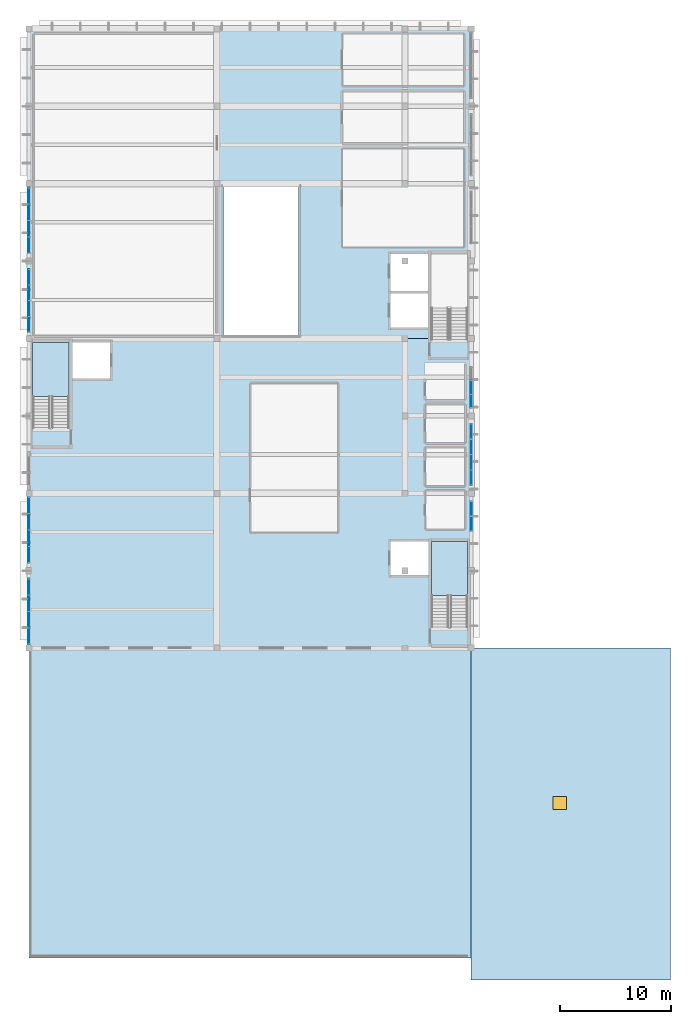
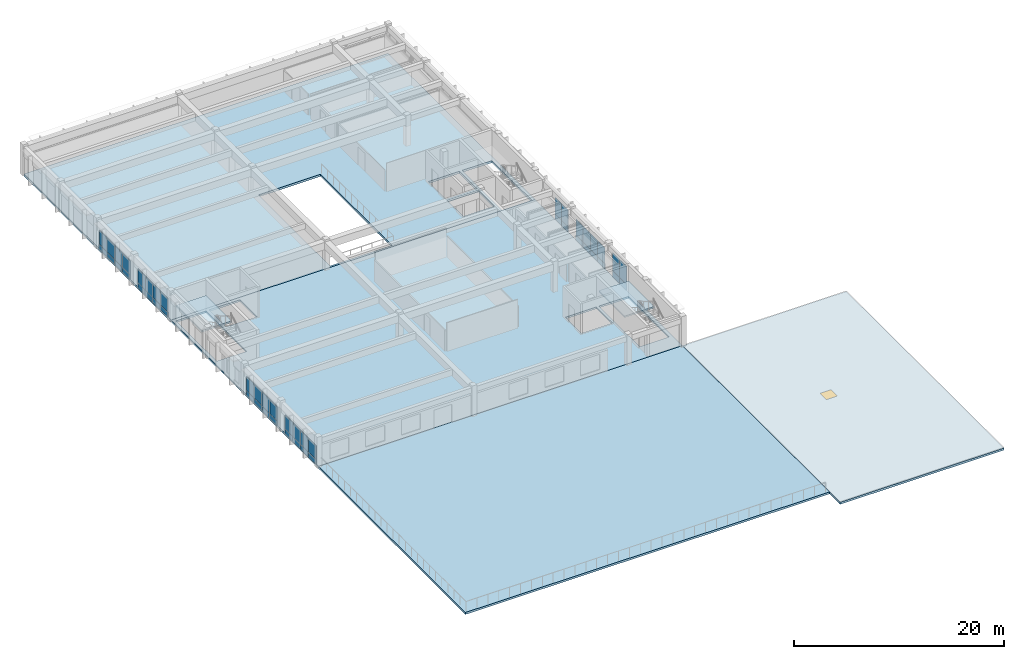
# One storey, part 14 of 23: 48 plates, 6 slabs, 1 window, 1 opening, 9 elements without a shape of their own.
"""IFC4 building model written with IfcOpenShell, lengths in metres."""

from ifc_helpers import new_model, si_unit, direction, frame, origin, origin_2d, place, context, subcontext, project, spatial, polyline, rectangle, outline, extrude, material, layer, layer_set, type_object, element, fill, aggregate, save


model = new_model("IFC4")

# Units and contexts
model_context = context("Model", 3, precision=1e-05, world=origin(), true_north=direction((0.0, 1.0)))
body_context = subcontext(model_context, "Body", "Model", "MODEL_VIEW")
ifc_project = project(units=[si_unit("LENGTHUNIT", "METRE"), si_unit("AREAUNIT", "SQUARE_METRE"), si_unit("VOLUMEUNIT", "CUBIC_METRE"), si_unit("PLANEANGLEUNIT", "RADIAN"), si_unit("MASSUNIT", "GRAM", prefix="KILO")], contexts=[model_context])

# Site, building, storey
site_placement = place(None, origin())
site = spatial("IfcSite", under=ifc_project, at=site_placement, CompositionType="ELEMENT")
building_placement = place(site_placement, origin())
building = spatial("IfcBuilding", under=site, at=building_placement, Name="Larkveld Mobility Hub", CompositionType="ELEMENT")
storey_placement = place(building_placement, frame((0.0, 0.0, 19.199951171875)))
storey = spatial("IfcBuildingStorey", under=building, at=storey_placement, Name="L05", CompositionType="ELEMENT", Elevation=19.199951171875)

# Curtain wall, plates
ifc_material_1 = material(Name="Anodised aluminium 6063-T6", Category="aluminium")
curtain_wall_type_1 = type_object("IfcCurtainWallType", Name="CW-SYS-07", PredefinedType="NOTDEFINED", material=ifc_material_1)
curtain_wall_1_placement = place(storey_placement, origin())
curtain_wall_1 = element("IfcCurtainWall", 1, at=curtain_wall_1_placement, inside=storey, type_object=curtain_wall_type_1, Name="EV Wing West Glazing L05 CW-163", PredefinedType="NOTDEFINED")
ifc_material_2 = material(Name="Low-E laminated solar-control double glazing", Category="glass")
ifc_layer_1 = layer(ifc_material_2, 0.028076171875, Name="Low-E laminated solar-control double glazing", Category="glass")
ifc_layer_set_1 = layer_set([ifc_layer_1], Name="Low-E laminated solar-control double glazing")
plate_type_1 = type_object("IfcPlateType", Name="CW-PNL-GL01", PredefinedType="CURTAIN_PANEL", material=ifc_layer_set_1)
plate_1_placement = place(storey_placement, frame((112.0, 68.89794921875, 0.552001953125), z_axis=(0.0, 0.0, 1.0), x_axis=(0.0, -1.0, 0.0)))
plate_1 = element("IfcPlate", 2, at=plate_1_placement, type_object=plate_type_1, Name="CW07 panel 1", PredefinedType="CURTAIN_PANEL", context=body_context, shape_type="SweptSolid", body=[
    extrude(rectangle(XDim=1.4541015625, YDim=0.028076171875, at=origin_2d()), origin(), (0.0, 0.0, 1.0), 1.6259765625),
])
plate_2_placement = place(storey_placement, frame((112.0, 67.424072265625, 0.552001953125), z_axis=(0.0, 0.0, 1.0), x_axis=(0.0, -1.0, 0.0)))
plate_2 = element("IfcPlate", 3, at=plate_2_placement, type_object=plate_type_1, Name="CW07 panel 2", PredefinedType="CURTAIN_PANEL", context=body_context, shape_type="SweptSolid", body=[
    extrude(rectangle(XDim=1.47412109375, YDim=0.028076171875, at=origin_2d()), origin(), (0.0, 0.0, 1.0), 1.6259765625),
])
plate_3_placement = place(storey_placement, frame((112.0, 65.94091796875, 0.552001953125), z_axis=(0.0, 0.0, 1.0), x_axis=(0.0, -1.0, 0.0)))
plate_3 = element("IfcPlate", 4, at=plate_3_placement, type_object=plate_type_1, Name="CW07 panel 3", PredefinedType="CURTAIN_PANEL", context=body_context, shape_type="SweptSolid", body=[
    extrude(rectangle(XDim=1.47412109375, YDim=0.028076171875, at=origin_2d()), origin(), (0.0, 0.0, 1.0), 1.6259765625),
])
plate_4_placement = place(storey_placement, frame((112.0, 64.467041015625, 0.552001953125), z_axis=(0.0, 0.0, 1.0), x_axis=(0.0, -1.0, 0.0)))
plate_4 = element("IfcPlate", 5, at=plate_4_placement, type_object=plate_type_1, Name="CW07 panel 4", PredefinedType="CURTAIN_PANEL", context=body_context, shape_type="SweptSolid", body=[
    extrude(rectangle(XDim=1.4541015625, YDim=0.028076171875, at=origin_2d()), origin(), (0.0, 0.0, 1.0), 1.6259765625),
])

curtain_wall_type_2 = type_object("IfcCurtainWallType", Name="CW-SYS-10", PredefinedType="NOTDEFINED", material=ifc_material_1)
curtain_wall_2_placement = place(storey_placement, origin())
curtain_wall_2 = element("IfcCurtainWall", 6, at=curtain_wall_2_placement, inside=storey, type_object=curtain_wall_type_2, Name="Upper Mobility and Sports East Glazing L05 CW-166", PredefinedType="NOTDEFINED")
plate_5_placement = place(storey_placement, frame((152.0, 43.422119140625, 0.614013671875), z_axis=(0.0, 0.0, 1.0), x_axis=(0.0, 1.0, 0.0)))
plate_5 = element("IfcPlate", 7, at=plate_5_placement, type_object=plate_type_1, Name="CW10 panel 1", PredefinedType="CURTAIN_PANEL", context=body_context, shape_type="SweptSolid", body=[
    extrude(rectangle(XDim=1.362060546875, YDim=0.028076171875, at=origin_2d()), origin(), (0.0, 0.0, 1.0), 1.81396484375),
])
plate_6_placement = place(storey_placement, frame((152.0, 44.803955078125, 0.614013671875), z_axis=(0.0, 0.0, 1.0), x_axis=(0.0, 1.0, 0.0)))
plate_6 = element("IfcPlate", 8, at=plate_6_placement, type_object=plate_type_1, Name="CW10 panel 2", PredefinedType="CURTAIN_PANEL", context=body_context, shape_type="SweptSolid", body=[
    extrude(rectangle(XDim=1.382080078125, YDim=0.028076171875, at=origin_2d()), origin(), (0.0, 0.0, 1.0), 1.81396484375),
])
plate_7_placement = place(storey_placement, frame((152.0, 46.196044921875, 0.614013671875), z_axis=(0.0, 0.0, 1.0), x_axis=(0.0, 1.0, 0.0)))
plate_7 = element("IfcPlate", 9, at=plate_7_placement, type_object=plate_type_1, Name="CW10 panel 3", PredefinedType="CURTAIN_PANEL", context=body_context, shape_type="SweptSolid", body=[
    extrude(rectangle(XDim=1.382080078125, YDim=0.028076171875, at=origin_2d()), origin(), (0.0, 0.0, 1.0), 1.81396484375),
])
plate_8_placement = place(storey_placement, frame((152.0, 47.577880859375, 0.614013671875), z_axis=(0.0, 0.0, 1.0), x_axis=(0.0, 1.0, 0.0)))
plate_8 = element("IfcPlate", 10, at=plate_8_placement, type_object=plate_type_1, Name="CW10 panel 4", PredefinedType="CURTAIN_PANEL", context=body_context, shape_type="SweptSolid", body=[
    extrude(rectangle(XDim=1.362060546875, YDim=0.028076171875, at=origin_2d()), origin(), (0.0, 0.0, 1.0), 1.81396484375),
])

curtain_wall_type_3 = type_object("IfcCurtainWallType", Name="CW-SYS-05", PredefinedType="NOTDEFINED", material=ifc_material_1)
curtain_wall_3_placement = place(storey_placement, origin())
curtain_wall_3 = element("IfcCurtainWall", 11, at=curtain_wall_3_placement, inside=storey, type_object=curtain_wall_type_3, Name="EV Wing West Glazing L05 CW-161", PredefinedType="NOTDEFINED")
ifc_material_3 = material(Name="Acoustic solar-control laminated double glazing", Category="glass")
ifc_layer_2 = layer(ifc_material_3, 0.031982421875, Name="Acoustic solar-control laminated double glazing", Category="glass")
ifc_layer_set_2 = layer_set([ifc_layer_2], Name="Acoustic solar-control laminated double glazing")
plate_type_2 = type_object("IfcPlateType", Name="CW-PNL-GL02", PredefinedType="CURTAIN_PANEL", material=ifc_layer_set_2)
plate_9_placement = place(storey_placement, frame((112.0, 40.89794921875, 0.552001953125), z_axis=(0.0, 0.0, 1.0), x_axis=(0.0, -1.0, 0.0)))
plate_9 = element("IfcPlate", 12, at=plate_9_placement, type_object=plate_type_2, Name="CW05 panel 1", PredefinedType="CURTAIN_PANEL", context=body_context, shape_type="SweptSolid", body=[
    extrude(rectangle(XDim=1.4541015625, YDim=0.031982421875, at=origin_2d()), origin(), (0.0, 0.0, 1.0), 1.6259765625),
])
plate_10_placement = place(storey_placement, frame((112.0, 39.424072265625, 0.552001953125), z_axis=(0.0, 0.0, 1.0), x_axis=(0.0, -1.0, 0.0)))
plate_10 = element("IfcPlate", 13, at=plate_10_placement, type_object=plate_type_2, Name="CW05 panel 2", PredefinedType="CURTAIN_PANEL", context=body_context, shape_type="SweptSolid", body=[
    extrude(rectangle(XDim=1.47412109375, YDim=0.031982421875, at=origin_2d()), origin(), (0.0, 0.0, 1.0), 1.6259765625),
])
plate_11_placement = place(storey_placement, frame((112.0, 37.94091796875, 0.552001953125), z_axis=(0.0, 0.0, 1.0), x_axis=(0.0, -1.0, 0.0)))
plate_11 = element("IfcPlate", 14, at=plate_11_placement, type_object=plate_type_2, Name="CW05 panel 3", PredefinedType="CURTAIN_PANEL", context=body_context, shape_type="SweptSolid", body=[
    extrude(rectangle(XDim=1.47412109375, YDim=0.031982421875, at=origin_2d()), origin(), (0.0, 0.0, 1.0), 1.6259765625),
])
plate_12_placement = place(storey_placement, frame((112.0, 36.467041015625, 0.552001953125), z_axis=(0.0, 0.0, 1.0), x_axis=(0.0, -1.0, 0.0)))
plate_12 = element("IfcPlate", 15, at=plate_12_placement, type_object=plate_type_2, Name="CW05 panel 4", PredefinedType="CURTAIN_PANEL", context=body_context, shape_type="SweptSolid", body=[
    extrude(rectangle(XDim=1.4541015625, YDim=0.031982421875, at=origin_2d()), origin(), (0.0, 0.0, 1.0), 1.6259765625),
])

curtain_wall_type_4 = type_object("IfcCurtainWallType", Name="CW-SYS-08", PredefinedType="NOTDEFINED", material=ifc_material_1)
curtain_wall_4_placement = place(storey_placement, origin())
curtain_wall_4 = element("IfcCurtainWall", 16, at=curtain_wall_4_placement, inside=storey, type_object=curtain_wall_type_4, Name="EV Wing West Glazing L05 CW-164", PredefinedType="NOTDEFINED")
plate_13_placement = place(storey_placement, frame((112.0, 61.56201171875, 0.552001953125), z_axis=(0.0, 0.0, 1.0), x_axis=(0.0, -1.0, 0.0)))
plate_13 = element("IfcPlate", 17, at=plate_13_placement, type_object=plate_type_2, Name="CW08 panel 1", PredefinedType="CURTAIN_PANEL", context=body_context, shape_type="SweptSolid", body=[
    extrude(rectangle(XDim=1.39599609375, YDim=0.031982421875, at=origin_2d()), origin(), (0.0, 0.0, 1.0), 1.6259765625),
])
plate_14_placement = place(storey_placement, frame((112.0, 60.14501953125, 0.552001953125), z_axis=(0.0, 0.0, 1.0), x_axis=(0.0, -1.0, 0.0)))
plate_14 = element("IfcPlate", 18, at=plate_14_placement, type_object=plate_type_2, Name="CW08 panel 2", PredefinedType="CURTAIN_PANEL", context=body_context, shape_type="SweptSolid", body=[
    extrude(rectangle(XDim=1.416015625, YDim=0.031982421875, at=origin_2d()), origin(), (0.0, 0.0, 1.0), 1.6259765625),
])
plate_15_placement = place(storey_placement, frame((112.0, 58.718994140625, 0.552001953125), z_axis=(0.0, 0.0, 1.0), x_axis=(0.0, -1.0, 0.0)))
plate_15 = element("IfcPlate", 19, at=plate_15_placement, type_object=plate_type_2, Name="CW08 panel 3", PredefinedType="CURTAIN_PANEL", context=body_context, shape_type="SweptSolid", body=[
    extrude(rectangle(XDim=1.416015625, YDim=0.031982421875, at=origin_2d()), origin(), (0.0, 0.0, 1.0), 1.6259765625),
])
plate_16_placement = place(storey_placement, frame((112.0, 57.302978515625, 0.552001953125), z_axis=(0.0, 0.0, 1.0), x_axis=(0.0, -1.0, 0.0)))
plate_16 = element("IfcPlate", 20, at=plate_16_placement, type_object=plate_type_2, Name="CW08 panel 4", PredefinedType="CURTAIN_PANEL", context=body_context, shape_type="SweptSolid", body=[
    extrude(rectangle(XDim=1.39599609375, YDim=0.031982421875, at=origin_2d()), origin(), (0.0, 0.0, 1.0), 1.6259765625),
])

curtain_wall_type_5 = type_object("IfcCurtainWallType", Name="CW-SYS-11", PredefinedType="NOTDEFINED", material=ifc_material_1)
curtain_wall_5_placement = place(storey_placement, origin())
curtain_wall_5 = element("IfcCurtainWall", 21, at=curtain_wall_5_placement, inside=storey, type_object=curtain_wall_type_5, Name="Upper Mobility and Sports East Glazing L05 CW-167", PredefinedType="NOTDEFINED")
plate_17_placement = place(storey_placement, frame((152.0, 50.343017578125, 0.65185546875), z_axis=(0.0, 0.0, 1.0), x_axis=(0.0, 1.0, 0.0)))
plate_17 = element("IfcPlate", 22, at=plate_17_placement, type_object=plate_type_2, Name="CW11 panel 1", PredefinedType="CURTAIN_PANEL", context=body_context, shape_type="SweptSolid", body=[
    extrude(rectangle(XDim=1.205078125, YDim=0.031982421875, at=origin_2d()), origin(), (0.0, 0.0, 1.0), 1.926025390625),
])
plate_18_placement = place(storey_placement, frame((152.0, 51.568115234375, 0.65185546875), z_axis=(0.0, 0.0, 1.0), x_axis=(0.0, 1.0, 0.0)))
plate_18 = element("IfcPlate", 23, at=plate_18_placement, type_object=plate_type_2, Name="CW11 panel 2", PredefinedType="CURTAIN_PANEL", context=body_context, shape_type="SweptSolid", body=[
    extrude(rectangle(XDim=1.22509765625, YDim=0.031982421875, at=origin_2d()), origin(), (0.0, 0.0, 1.0), 1.926025390625),
])

curtain_wall_type_6 = type_object("IfcCurtainWallType", Name="CW-SYS-06", PredefinedType="NOTDEFINED", material=ifc_material_1)
curtain_wall_6_placement = place(storey_placement, origin())
curtain_wall_6 = element("IfcCurtainWall", 24, at=curtain_wall_6_placement, inside=storey, type_object=curtain_wall_type_6, Name="EV Wing West Glazing L05 CW-162", PredefinedType="NOTDEFINED")
ifc_material_4 = material(Name="Tinted safety double glazing", Category="glass")
ifc_layer_3 = layer(ifc_material_4, 0.035888671875, Name="Tinted safety double glazing", Category="glass")
ifc_layer_set_3 = layer_set([ifc_layer_3], Name="Tinted safety double glazing")
plate_type_3 = type_object("IfcPlateType", Name="CW-PNL-GL03", PredefinedType="CURTAIN_PANEL", material=ifc_layer_set_3)
plate_19_placement = place(storey_placement, frame((112.0, 33.532958984375, 0.552001953125), z_axis=(0.0, 0.0, 1.0), x_axis=(0.0, -1.0, 0.0)))
plate_19 = element("IfcPlate", 25, at=plate_19_placement, type_object=plate_type_3, Name="CW06 panel 1", PredefinedType="CURTAIN_PANEL", context=body_context, shape_type="SweptSolid", body=[
    extrude(rectangle(XDim=1.4541015625, YDim=0.035888671875, at=origin_2d()), origin(), (0.0, 0.0, 1.0), 1.6259765625),
])
plate_20_placement = place(storey_placement, frame((112.0, 32.05908203125, 0.552001953125), z_axis=(0.0, 0.0, 1.0), x_axis=(0.0, -1.0, 0.0)))
plate_20 = element("IfcPlate", 26, at=plate_20_placement, type_object=plate_type_3, Name="CW06 panel 2", PredefinedType="CURTAIN_PANEL", context=body_context, shape_type="SweptSolid", body=[
    extrude(rectangle(XDim=1.47412109375, YDim=0.035888671875, at=origin_2d()), origin(), (0.0, 0.0, 1.0), 1.6259765625),
])
plate_21_placement = place(storey_placement, frame((112.0, 30.574951171875, 0.552001953125), z_axis=(0.0, 0.0, 1.0), x_axis=(0.0, -1.0, 0.0)))
plate_21 = element("IfcPlate", 27, at=plate_21_placement, type_object=plate_type_3, Name="CW06 panel 3", PredefinedType="CURTAIN_PANEL", context=body_context, shape_type="SweptSolid", body=[
    extrude(rectangle(XDim=1.47412109375, YDim=0.035888671875, at=origin_2d()), origin(), (0.0, 0.0, 1.0), 1.6259765625),
])
plate_22_placement = place(storey_placement, frame((112.0, 29.10205078125, 0.552001953125), z_axis=(0.0, 0.0, 1.0), x_axis=(0.0, -1.0, 0.0)))
plate_22 = element("IfcPlate", 28, at=plate_22_placement, type_object=plate_type_3, Name="CW06 panel 4", PredefinedType="CURTAIN_PANEL", context=body_context, shape_type="SweptSolid", body=[
    extrude(rectangle(XDim=1.4541015625, YDim=0.035888671875, at=origin_2d()), origin(), (0.0, 0.0, 1.0), 1.6259765625),
])

curtain_wall_type_7 = type_object("IfcCurtainWallType", Name="CW-SYS-09", PredefinedType="NOTDEFINED", material=ifc_material_1)
curtain_wall_7_placement = place(storey_placement, origin())
curtain_wall_7 = element("IfcCurtainWall", 29, at=curtain_wall_7_placement, inside=storey, type_object=curtain_wall_type_7, Name="Upper Mobility and Sports East Glazing L05 CW-165", PredefinedType="NOTDEFINED")
plate_23_placement = place(storey_placement, frame((152.0, 39.26611328125, 0.7021484375), z_axis=(0.0, 0.0, 1.0), x_axis=(0.0, 1.0, 0.0)))
plate_23 = element("IfcPlate", 30, at=plate_23_placement, type_object=plate_type_3, Name="CW09 panel 1", PredefinedType="CURTAIN_PANEL", context=body_context, shape_type="SweptSolid", body=[
    extrude(rectangle(XDim=1.322998046875, YDim=0.035888671875, at=origin_2d()), origin(), (0.0, 0.0, 1.0), 2.075927734375),
])
plate_24_placement = place(storey_placement, frame((152.0, 40.59912109375, 0.7021484375), z_axis=(0.0, 0.0, 1.0), x_axis=(0.0, 1.0, 0.0)))
plate_24 = element("IfcPlate", 31, at=plate_24_placement, type_object=plate_type_3, Name="CW09 panel 2", PredefinedType="CURTAIN_PANEL", context=body_context, shape_type="SweptSolid", body=[
    extrude(rectangle(XDim=1.322998046875, YDim=0.035888671875, at=origin_2d()), origin(), (0.0, 0.0, 1.0), 2.075927734375),
])

# Plate
ifc_material_5 = material(Name="Insulated fluoropolymer aluminium spandrel", Category="aluminium")
ifc_layer_4 = layer(ifc_material_5, 0.06494140625, Name="Insulated fluoropolymer aluminium spandrel", Category="aluminium")
ifc_layer_set_4 = layer_set([ifc_layer_4], Name="Insulated fluoropolymer aluminium spandrel")
plate_type_4 = type_object("IfcPlateType", Name="CW-PNL-SP01", PredefinedType="CURTAIN_PANEL", material=ifc_layer_set_4)
plate_25_placement = place(storey_placement, frame((112.0, 40.89794921875, 0.0), z_axis=(0.0, 0.0, 1.0), x_axis=(0.0, -1.0, 0.0)))
plate_25 = element("IfcPlate", 32, at=plate_25_placement, type_object=plate_type_4, Name="CW05 spandrel 1", PredefinedType="CURTAIN_PANEL", context=body_context, shape_type="SweptSolid", body=[
    extrude(rectangle(XDim=1.4541015625, YDim=0.06494140625, at=origin_2d()), origin(), (0.0, 0.0, 1.0), 0.5400390625),
])

plate_26_placement = place(storey_placement, frame((112.0, 39.424072265625, 0.0), z_axis=(0.0, 0.0, 1.0), x_axis=(0.0, -1.0, 0.0)))
plate_26 = element("IfcPlate", 33, at=plate_26_placement, type_object=plate_type_4, Name="CW05 spandrel 2", PredefinedType="CURTAIN_PANEL", context=body_context, shape_type="SweptSolid", body=[
    extrude(rectangle(XDim=1.47412109375, YDim=0.06494140625, at=origin_2d()), origin(), (0.0, 0.0, 1.0), 0.5400390625),
])

plate_27_placement = place(storey_placement, frame((112.0, 37.94091796875, 0.0), z_axis=(0.0, 0.0, 1.0), x_axis=(0.0, -1.0, 0.0)))
plate_27 = element("IfcPlate", 34, at=plate_27_placement, type_object=plate_type_4, Name="CW05 spandrel 3", PredefinedType="CURTAIN_PANEL", context=body_context, shape_type="SweptSolid", body=[
    extrude(rectangle(XDim=1.47412109375, YDim=0.06494140625, at=origin_2d()), origin(), (0.0, 0.0, 1.0), 0.5400390625),
])

plate_28_placement = place(storey_placement, frame((112.0, 36.467041015625, 0.0), z_axis=(0.0, 0.0, 1.0), x_axis=(0.0, -1.0, 0.0)))
plate_28 = element("IfcPlate", 35, at=plate_28_placement, type_object=plate_type_4, Name="CW05 spandrel 4", PredefinedType="CURTAIN_PANEL", context=body_context, shape_type="SweptSolid", body=[
    extrude(rectangle(XDim=1.4541015625, YDim=0.06494140625, at=origin_2d()), origin(), (0.0, 0.0, 1.0), 0.5400390625),
])

aggregate(curtain_wall_3, [plate_25, plate_9, plate_26, plate_10, plate_27, plate_11, plate_28, plate_12])

plate_29_placement = place(storey_placement, frame((112.0, 68.89794921875, 0.0), z_axis=(0.0, 0.0, 1.0), x_axis=(0.0, -1.0, 0.0)))
plate_29 = element("IfcPlate", 36, at=plate_29_placement, type_object=plate_type_4, Name="CW07 spandrel 1", PredefinedType="CURTAIN_PANEL", context=body_context, shape_type="SweptSolid", body=[
    extrude(rectangle(XDim=1.4541015625, YDim=0.06494140625, at=origin_2d()), origin(), (0.0, 0.0, 1.0), 0.5400390625),
])

plate_30_placement = place(storey_placement, frame((112.0, 67.424072265625, 0.0), z_axis=(0.0, 0.0, 1.0), x_axis=(0.0, -1.0, 0.0)))
plate_30 = element("IfcPlate", 37, at=plate_30_placement, type_object=plate_type_4, Name="CW07 spandrel 2", PredefinedType="CURTAIN_PANEL", context=body_context, shape_type="SweptSolid", body=[
    extrude(rectangle(XDim=1.47412109375, YDim=0.06494140625, at=origin_2d()), origin(), (0.0, 0.0, 1.0), 0.5400390625),
])

plate_31_placement = place(storey_placement, frame((112.0, 65.94091796875, 0.0), z_axis=(0.0, 0.0, 1.0), x_axis=(0.0, -1.0, 0.0)))
plate_31 = element("IfcPlate", 38, at=plate_31_placement, type_object=plate_type_4, Name="CW07 spandrel 3", PredefinedType="CURTAIN_PANEL", context=body_context, shape_type="SweptSolid", body=[
    extrude(rectangle(XDim=1.47412109375, YDim=0.06494140625, at=origin_2d()), origin(), (0.0, 0.0, 1.0), 0.5400390625),
])

plate_32_placement = place(storey_placement, frame((112.0, 64.467041015625, 0.0), z_axis=(0.0, 0.0, 1.0), x_axis=(0.0, -1.0, 0.0)))
plate_32 = element("IfcPlate", 39, at=plate_32_placement, type_object=plate_type_4, Name="CW07 spandrel 4", PredefinedType="CURTAIN_PANEL", context=body_context, shape_type="SweptSolid", body=[
    extrude(rectangle(XDim=1.4541015625, YDim=0.06494140625, at=origin_2d()), origin(), (0.0, 0.0, 1.0), 0.5400390625),
])

aggregate(curtain_wall_1, [plate_29, plate_1, plate_30, plate_2, plate_31, plate_3, plate_32, plate_4])

plate_33_placement = place(storey_placement, frame((152.0, 39.26611328125, 0.0), z_axis=(0.0, 0.0, 1.0), x_axis=(0.0, 1.0, 0.0)))
plate_33 = element("IfcPlate", 40, at=plate_33_placement, type_object=plate_type_4, Name="CW09 spandrel 1", PredefinedType="CURTAIN_PANEL", context=body_context, shape_type="SweptSolid", body=[
    extrude(rectangle(XDim=1.322998046875, YDim=0.06494140625, at=origin_2d()), origin(), (0.0, 0.0, 1.0), 0.68994140625),
])

plate_34_placement = place(storey_placement, frame((152.0, 40.59912109375, 0.0), z_axis=(0.0, 0.0, 1.0), x_axis=(0.0, 1.0, 0.0)))
plate_34 = element("IfcPlate", 41, at=plate_34_placement, type_object=plate_type_4, Name="CW09 spandrel 2", PredefinedType="CURTAIN_PANEL", context=body_context, shape_type="SweptSolid", body=[
    extrude(rectangle(XDim=1.322998046875, YDim=0.06494140625, at=origin_2d()), origin(), (0.0, 0.0, 1.0), 0.68994140625),
])

aggregate(curtain_wall_7, [plate_33, plate_23, plate_34, plate_24])

plate_35_placement = place(storey_placement, frame((152.0, 50.343017578125, 0.0), z_axis=(0.0, 0.0, 1.0), x_axis=(0.0, 1.0, 0.0)))
plate_35 = element("IfcPlate", 42, at=plate_35_placement, type_object=plate_type_4, Name="CW11 spandrel 1", PredefinedType="CURTAIN_PANEL", context=body_context, shape_type="SweptSolid", body=[
    extrude(rectangle(XDim=1.205078125, YDim=0.06494140625, at=origin_2d()), origin(), (0.0, 0.0, 1.0), 0.639892578125),
])

plate_36_placement = place(storey_placement, frame((152.0, 51.568115234375, 0.0), z_axis=(0.0, 0.0, 1.0), x_axis=(0.0, 1.0, 0.0)))
plate_36 = element("IfcPlate", 43, at=plate_36_placement, type_object=plate_type_4, Name="CW11 spandrel 2", PredefinedType="CURTAIN_PANEL", context=body_context, shape_type="SweptSolid", body=[
    extrude(rectangle(XDim=1.22509765625, YDim=0.06494140625, at=origin_2d()), origin(), (0.0, 0.0, 1.0), 0.639892578125),
])

aggregate(curtain_wall_5, [plate_35, plate_17, plate_36, plate_18])

ifc_material_6 = material(Name="Insulated terracotta-toned aluminium spandrel", Category="masonry")
ifc_layer_5 = layer(ifc_material_6, 0.080078125, Name="Insulated terracotta-toned aluminium spandrel", Category="masonry")
ifc_layer_set_5 = layer_set([ifc_layer_5], Name="Insulated terracotta-toned aluminium spandrel")
plate_type_5 = type_object("IfcPlateType", Name="CW-PNL-SP02", PredefinedType="CURTAIN_PANEL", material=ifc_layer_set_5)
plate_37_placement = place(storey_placement, frame((112.0, 33.532958984375, 0.0), z_axis=(0.0, 0.0, 1.0), x_axis=(0.0, -1.0, 0.0)))
plate_37 = element("IfcPlate", 44, at=plate_37_placement, type_object=plate_type_5, Name="CW06 spandrel 1", PredefinedType="CURTAIN_PANEL", context=body_context, shape_type="SweptSolid", body=[
    extrude(rectangle(XDim=1.4541015625, YDim=0.080078125, at=origin_2d()), origin(), (0.0, 0.0, 1.0), 0.5400390625),
])

plate_38_placement = place(storey_placement, frame((112.0, 32.05908203125, 0.0), z_axis=(0.0, 0.0, 1.0), x_axis=(0.0, -1.0, 0.0)))
plate_38 = element("IfcPlate", 45, at=plate_38_placement, type_object=plate_type_5, Name="CW06 spandrel 2", PredefinedType="CURTAIN_PANEL", context=body_context, shape_type="SweptSolid", body=[
    extrude(rectangle(XDim=1.47412109375, YDim=0.080078125, at=origin_2d()), origin(), (0.0, 0.0, 1.0), 0.5400390625),
])

plate_39_placement = place(storey_placement, frame((112.0, 30.574951171875, 0.0), z_axis=(0.0, 0.0, 1.0), x_axis=(0.0, -1.0, 0.0)))
plate_39 = element("IfcPlate", 46, at=plate_39_placement, type_object=plate_type_5, Name="CW06 spandrel 3", PredefinedType="CURTAIN_PANEL", context=body_context, shape_type="SweptSolid", body=[
    extrude(rectangle(XDim=1.47412109375, YDim=0.080078125, at=origin_2d()), origin(), (0.0, 0.0, 1.0), 0.5400390625),
])

plate_40_placement = place(storey_placement, frame((112.0, 29.10205078125, 0.0), z_axis=(0.0, 0.0, 1.0), x_axis=(0.0, -1.0, 0.0)))
plate_40 = element("IfcPlate", 47, at=plate_40_placement, type_object=plate_type_5, Name="CW06 spandrel 4", PredefinedType="CURTAIN_PANEL", context=body_context, shape_type="SweptSolid", body=[
    extrude(rectangle(XDim=1.4541015625, YDim=0.080078125, at=origin_2d()), origin(), (0.0, 0.0, 1.0), 0.5400390625),
])

aggregate(curtain_wall_6, [plate_37, plate_19, plate_38, plate_20, plate_39, plate_21, plate_40, plate_22])

plate_41_placement = place(storey_placement, frame((112.0, 61.56201171875, 0.0), z_axis=(0.0, 0.0, 1.0), x_axis=(0.0, -1.0, 0.0)))
plate_41 = element("IfcPlate", 48, at=plate_41_placement, type_object=plate_type_5, Name="CW08 spandrel 1", PredefinedType="CURTAIN_PANEL", context=body_context, shape_type="SweptSolid", body=[
    extrude(rectangle(XDim=1.39599609375, YDim=0.080078125, at=origin_2d()), origin(), (0.0, 0.0, 1.0), 0.5400390625),
])

plate_42_placement = place(storey_placement, frame((112.0, 60.14501953125, 0.0), z_axis=(0.0, 0.0, 1.0), x_axis=(0.0, -1.0, 0.0)))
plate_42 = element("IfcPlate", 49, at=plate_42_placement, type_object=plate_type_5, Name="CW08 spandrel 2", PredefinedType="CURTAIN_PANEL", context=body_context, shape_type="SweptSolid", body=[
    extrude(rectangle(XDim=1.416015625, YDim=0.080078125, at=origin_2d()), origin(), (0.0, 0.0, 1.0), 0.5400390625),
])

plate_43_placement = place(storey_placement, frame((112.0, 58.718994140625, 0.0), z_axis=(0.0, 0.0, 1.0), x_axis=(0.0, -1.0, 0.0)))
plate_43 = element("IfcPlate", 50, at=plate_43_placement, type_object=plate_type_5, Name="CW08 spandrel 3", PredefinedType="CURTAIN_PANEL", context=body_context, shape_type="SweptSolid", body=[
    extrude(rectangle(XDim=1.416015625, YDim=0.080078125, at=origin_2d()), origin(), (0.0, 0.0, 1.0), 0.5400390625),
])

plate_44_placement = place(storey_placement, frame((112.0, 57.302978515625, 0.0), z_axis=(0.0, 0.0, 1.0), x_axis=(0.0, -1.0, 0.0)))
plate_44 = element("IfcPlate", 51, at=plate_44_placement, type_object=plate_type_5, Name="CW08 spandrel 4", PredefinedType="CURTAIN_PANEL", context=body_context, shape_type="SweptSolid", body=[
    extrude(rectangle(XDim=1.39599609375, YDim=0.080078125, at=origin_2d()), origin(), (0.0, 0.0, 1.0), 0.5400390625),
])

aggregate(curtain_wall_4, [plate_41, plate_13, plate_42, plate_14, plate_43, plate_15, plate_44, plate_16])

plate_45_placement = place(storey_placement, frame((152.0, 43.422119140625, -0.00048828125), z_axis=(0.0, 0.0, 1.0), x_axis=(0.0, 1.0, 0.0)))
plate_45 = element("IfcPlate", 52, at=plate_45_placement, type_object=plate_type_5, Name="CW10 spandrel 1", PredefinedType="CURTAIN_PANEL", context=body_context, shape_type="SweptSolid", body=[
    extrude(rectangle(XDim=1.362060546875, YDim=0.080078125, at=origin_2d()), origin(), (0.0, 0.0, 1.0), 0.60302734375),
])

plate_46_placement = place(storey_placement, frame((152.0, 44.803955078125, -0.00048828125), z_axis=(0.0, 0.0, 1.0), x_axis=(0.0, 1.0, 0.0)))
plate_46 = element("IfcPlate", 53, at=plate_46_placement, type_object=plate_type_5, Name="CW10 spandrel 2", PredefinedType="CURTAIN_PANEL", context=body_context, shape_type="SweptSolid", body=[
    extrude(rectangle(XDim=1.382080078125, YDim=0.080078125, at=origin_2d()), origin(), (0.0, 0.0, 1.0), 0.60302734375),
])

plate_47_placement = place(storey_placement, frame((152.0, 46.196044921875, -0.00048828125), z_axis=(0.0, 0.0, 1.0), x_axis=(0.0, 1.0, 0.0)))
plate_47 = element("IfcPlate", 54, at=plate_47_placement, type_object=plate_type_5, Name="CW10 spandrel 3", PredefinedType="CURTAIN_PANEL", context=body_context, shape_type="SweptSolid", body=[
    extrude(rectangle(XDim=1.382080078125, YDim=0.080078125, at=origin_2d()), origin(), (0.0, 0.0, 1.0), 0.60302734375),
])

plate_48_placement = place(storey_placement, frame((152.0, 47.577880859375, -0.00048828125), z_axis=(0.0, 0.0, 1.0), x_axis=(0.0, 1.0, 0.0)))
plate_48 = element("IfcPlate", 55, at=plate_48_placement, type_object=plate_type_5, Name="CW10 spandrel 4", PredefinedType="CURTAIN_PANEL", context=body_context, shape_type="SweptSolid", body=[
    extrude(rectangle(XDim=1.362060546875, YDim=0.080078125, at=origin_2d()), origin(), (0.0, 0.0, 1.0), 0.60302734375),
])

aggregate(curtain_wall_2, [plate_45, plate_5, plate_46, plate_6, plate_47, plate_7, plate_48, plate_8])

# Slabs
ifc_material_7 = material(Name="Concrete C40/50", Category="concrete")
ifc_layer_6 = layer(ifc_material_7, 0.215087890625, Name="Concrete C40/50", Category="concrete")
ifc_layer_set_6 = layer_set([ifc_layer_6], Name="Concrete C40/50")
slab_type_1 = type_object("IfcSlabType", Name="SL-DT-215", PredefinedType="FLOOR", material=ifc_layer_set_6)
slab_1_placement = place(storey_placement, frame((0.0, 0.0, -0.21484375)))
element("IfcSlab", 56, at=slab_1_placement, inside=storey, type_object=slab_type_1, Name="EV Wing and Sports Pavilion Slab L05-151", PredefinedType="FLOOR", context=body_context, shape_type="SweptSolid", body=[
    extrude(outline(polyline([(112.0, 28.0), (152.0, 28.0), (152.0, 56.0), (112.0, 56.0), (112.0, 28.0)]), holes=[polyline([(148.39990234375, 29.89990234375), (148.39990234375, 37.64990234375), (151.64990234375, 37.64990234375), (151.64990234375, 29.89990234375), (148.39990234375, 29.89990234375)]), polyline([(144.719970703125, 34.60009765625), (144.719970703125, 37.64990234375), (148.1201171875, 37.64990234375), (148.1201171875, 34.60009765625), (144.719970703125, 34.60009765625)]), polyline([(112.35009765625, 47.919921875), (112.35009765625, 55.64990234375), (115.639892578125, 55.64990234375), (115.639892578125, 47.919921875), (112.35009765625, 47.919921875)]), polyline([(115.9599609375, 52.39990234375), (115.9599609375, 55.64990234375), (119.360107421875, 55.64990234375), (119.360107421875, 52.39990234375), (115.9599609375, 52.39990234375)])]), origin(), (0.0, 0.0, 1.0), 0.21484375),
])
ifc_layer_7 = layer(ifc_material_7, 0.25, Name="Concrete C40/50", Category="concrete")
ifc_layer_set_7 = layer_set([ifc_layer_7], Name="Concrete C40/50")
slab_type_2 = type_object("IfcSlabType", Name="SL-FLR-250", PredefinedType="FLOOR", material=ifc_layer_set_7)
slab_2_placement = place(storey_placement, frame((0.0, 0.0, -0.25)))
element("IfcSlab", 57, at=slab_2_placement, inside=storey, type_object=slab_type_2, Name="EV Wing and Sports Pavilion Slab L05-152", PredefinedType="FLOOR", context=body_context, shape_type="SweptSolid", body=[
    extrude(outline(polyline([(112.0, 56.0), (152.0, 56.0), (152.0, 84.0), (112.0, 84.0), (112.0, 56.0)]), holes=[polyline([(148.3798828125, 56.06005859375), (148.3798828125, 63.64990234375), (151.64990234375, 63.64990234375), (151.64990234375, 56.06005859375), (148.3798828125, 56.06005859375)]), polyline([(144.679931640625, 60.300048828125), (144.679931640625, 63.64990234375), (148.080078125, 63.64990234375), (148.080078125, 60.300048828125), (144.679931640625, 60.300048828125)]), polyline([(144.679931640625, 57.0), (144.679931640625, 60.080078125), (148.080078125, 60.080078125), (148.080078125, 57.0), (144.679931640625, 57.0)]), polyline([(129.580078125, 56.22998046875), (129.580078125, 69.830078125), (136.39990234375, 69.830078125), (136.39990234375, 56.22998046875), (129.580078125, 56.22998046875)])]), origin(), (0.0, 0.0, 1.0), 0.25),
])

# Stair, slab
stair_type_1 = type_object("IfcStairType", Name="ST-HT-01", PredefinedType="HALF_TURN_STAIR", material=ifc_material_7)
stair_1_placement = place(storey_placement, origin())
stair_1 = element("IfcStair", 58, at=stair_1_placement, inside=storey, type_object=stair_type_1, Name="L05 Protected Escape Stair ST1", PredefinedType="HALF_TURN_STAIR")
ifc_layer_8 = layer(ifc_material_7, 0.175048828125, Name="Concrete C40/50", Category="concrete")
ifc_layer_set_8 = layer_set([ifc_layer_8], Name="Concrete C40/50")
slab_type_3 = type_object("IfcSlabType", Name="SL-LND-01", PredefinedType="LANDING", material=ifc_layer_set_8)
slab_3_placement = place(storey_placement, frame((0.0, 0.0, 1.625)))
slab_3 = element("IfcSlab", 59, at=slab_3_placement, type_object=slab_type_3, Name="ST1 landing 1", PredefinedType="LANDING", context=body_context, shape_type="SweptSolid", body=[
    extrude(outline(polyline([(151.64990234375, 32.75), (151.64990234375, 37.64990234375), (148.39990234375, 37.64990234375), (148.39990234375, 32.75), (151.64990234375, 32.75)])), origin(), (0.0, 0.0, 1.0), 0.175048828125),
])
aggregate(stair_1, [slab_3])

stair_type_2 = type_object("IfcStairType", Name="ST-HT-03", PredefinedType="HALF_TURN_STAIR", material=ifc_material_7)
stair_2_placement = place(storey_placement, origin())
stair_2 = element("IfcStair", 60, at=stair_2_placement, inside=storey, type_object=stair_type_2, Name="L05 Protected Escape Stair ST3", PredefinedType="HALF_TURN_STAIR")
ifc_layer_9 = layer(ifc_material_7, 0.195068359375, Name="Concrete C40/50", Category="concrete")
ifc_layer_set_9 = layer_set([ifc_layer_9], Name="Concrete C40/50")
slab_type_4 = type_object("IfcSlabType", Name="SL-LND-03", PredefinedType="LANDING", material=ifc_layer_set_9)
slab_4_placement = place(storey_placement, frame((0.0, 0.0, 1.60498046875)))
slab_4 = element("IfcSlab", 61, at=slab_4_placement, type_object=slab_type_4, Name="ST3 landing 1", PredefinedType="LANDING", context=body_context, shape_type="SweptSolid", body=[
    extrude(outline(polyline([(115.639892578125, 50.77001953125), (115.639892578125, 55.64990234375), (112.35009765625, 55.64990234375), (112.35009765625, 50.77001953125), (115.639892578125, 50.77001953125)])), origin(), (0.0, 0.0, 1.0), 0.195068359375),
])
aggregate(stair_2, [slab_4])

# Slab, opening, window
ifc_layer_10 = layer(ifc_material_7, 0.238037109375, Name="Concrete C40/50", Category="concrete")
ifc_layer_set_10 = layer_set([ifc_layer_10], Name="Concrete C40/50")
slab_type_5 = type_object("IfcSlabType", Name="SL-RF-FLT238", PredefinedType="ROOF", material=ifc_layer_set_10)
slab_5_placement = place(storey_placement, frame((0.0, 0.0, -0.238037109375)))
slab_5 = element("IfcSlab", 62, at=slab_5_placement, inside=storey, type_object=slab_type_5, Name="Service Wing Overhanging East Roof Slab L05-131", PredefinedType="ROOF", context=body_context, shape_type="SweptSolid", body=[
    extrude(outline(polyline([(152.0, -2.0), (170.0, -2.0), (170.0, 28.0), (152.0, 28.0), (152.0, -2.0)])), origin(), (0.0, 0.0, 1.0), 0.238037109375),
])
opening_placement = place(slab_5_placement, frame((160.0, 14.0, 0.0)))
opening = element("IfcOpeningElement", 63, at=opening_placement, cuts=slab_5, Name="Opening SK03", PredefinedType="OPENING", context=body_context, shape_type="SweptSolid", body=[
    extrude(rectangle(XDim=1.199951171875, YDim=1.199951171875, at=origin_2d()), frame((0.0, 0.0, -0.010009765625)), (0.0, 0.0, 1.0), 0.258056640625),
])
ifc_material_8 = material(Name="Insulated aluminium roof maintenance hatch", Category="aluminium")
window_type = type_object("IfcWindowType", Name="SK-HTCH-01", PartitioningType="SINGLE_PANEL", PredefinedType="SKYLIGHT", material=ifc_material_8)
window_placement = place(opening_placement, frame((0.0, 0.0, 0.18798828125)))
window = element("IfcWindow", 64, at=window_placement, inside=storey, type_object=window_type, Name="Roof Daylight Skylight SK-05", OverallHeight=1.199951171875, OverallWidth=1.199951171875, PartitioningType="SINGLE_PANEL", PredefinedType="SKYLIGHT", context=body_context, shape_type="SweptSolid", body=[
    extrude(rectangle(XDim=1.199951171875, YDim=1.199951171875, at=origin_2d()), origin(), (0.0, 0.0, 1.0), 0.050048828125),
])
fill(opening, window)

# Slab
ifc_layer_11 = layer(ifc_material_7, 0.235107421875, Name="Concrete C40/50", Category="concrete")
ifc_layer_set_11 = layer_set([ifc_layer_11], Name="Concrete C40/50")
slab_type_6 = type_object("IfcSlabType", Name="SL-SPT-235", PredefinedType="FLOOR", material=ifc_layer_set_11)
slab_6_placement = place(storey_placement, frame((0.0, 0.0, -0.23486328125)))
element("IfcSlab", 65, at=slab_6_placement, inside=storey, type_object=slab_type_6, Name="Rooftop Multi-Use Sports Court Deck L05-130", PredefinedType="FLOOR", context=body_context, shape_type="SweptSolid", body=[
    extrude(outline(polyline([(112.0, 0.0), (152.0, 0.0), (152.0, 28.0), (112.0, 28.0), (112.0, 0.0)])), origin(), (0.0, 0.0, 1.0), 0.23486328125),
])

save(model, "model.ifc")
